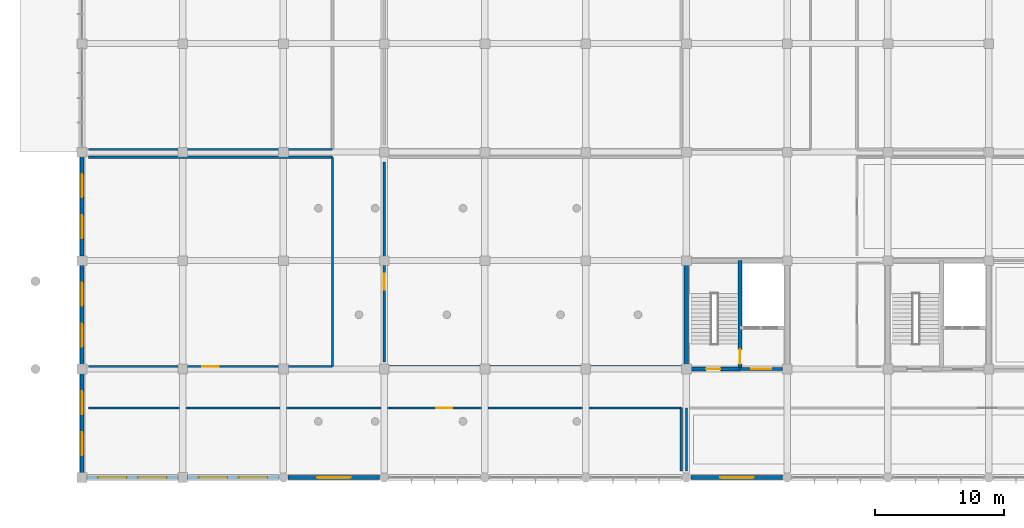
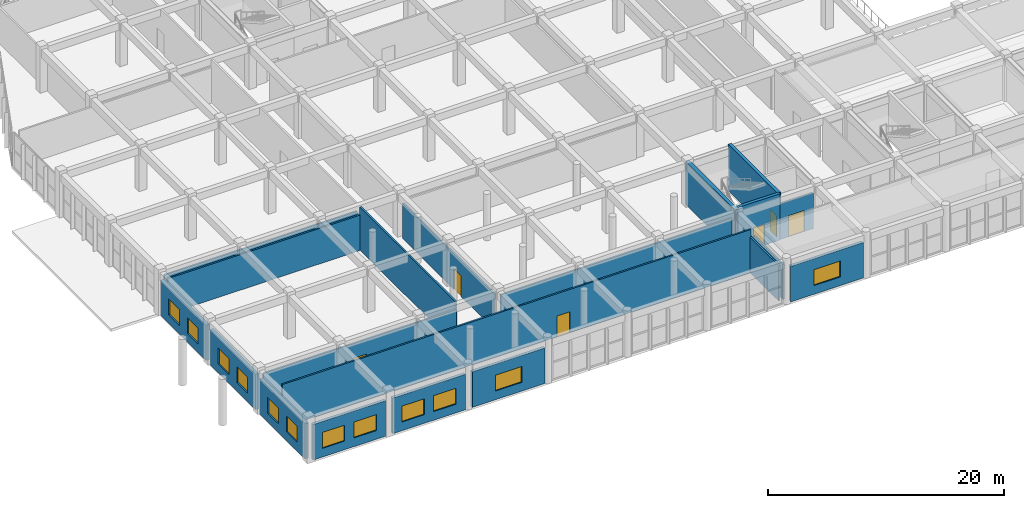
# One storey, part 158 of 175: 20 walls, 12 windows, 6 doors, 18 openings.
"""IFC4 building model written with IfcOpenShell, lengths in metres."""

import ifcopenshell
import ifcopenshell.guid

model = None  # the IFC model being written
_history = None  # IfcOwnerHistory: only IFC2X3 demands one
_inside = {}  # id of a spatial element -> (the spatial element, [elements in it])
_under = {}  # id of a project, library or spatial element -> (it, [spatial elements below it])
_declared = {}  # id of a project -> (the project, [libraries it declares])
_typed = {}  # id of a type object -> (the type object, [elements of that type])
_made_of = {}  # id of a material, layer set ... -> (it, [elements and type objects made of it])


def new_model(schema):
    """Start an empty IFC model of exactly this schema.

    Asked for "IFC4X3", IfcOpenShell would pick the latest addendum, in which some entities
    have other attributes; the version numbers below select the first issue.
    IFC2X3 requires an IfcOwnerHistory on every rooted entity: one is made here for all.
    """
    global model, _history
    if schema == "IFC4X3":
        model = ifcopenshell.file(schema_version=(4, 3, 0, 0))
    else:
        model = ifcopenshell.file(schema=schema)
    _inside.clear()
    _under.clear()
    _declared.clear()
    _typed.clear()
    _made_of.clear()
    _history = None
    if model.schema == "IFC2X3":
        org = make("IfcOrganization", Name="unknown")
        user = make(
            "IfcPersonAndOrganization",
            ThePerson=make("IfcPerson", FamilyName="unknown"),
            TheOrganization=org,
        )
        app = make(
            "IfcApplication",
            ApplicationDeveloper=org,
            Version="unknown",
            ApplicationFullName="unknown",
            ApplicationIdentifier="unknown",
        )
        _history = make(
            "IfcOwnerHistory",
            OwningUser=user,
            OwningApplication=app,
            ChangeAction="ADDED",
            CreationDate=0,
        )
    return model


def make(cls, **values):
    """One entity of the class cls with the attributes given. An attribute that is None is left unset."""
    return model.create_entity(
        cls, **{name: value for name, value in values.items() if value is not None}
    )


def rooted(cls, **values):
    """An entity with a GlobalId (a new one), such as an element, a storey or a relation."""
    return make(cls, GlobalId=ifcopenshell.guid.new(), OwnerHistory=_history, **values)


def si_unit(unit_type, name, prefix=None):
    """IfcSIUnit, for example si_unit("LENGTHUNIT", "METRE", prefix="MILLI")."""
    return make("IfcSIUnit", UnitType=unit_type, Prefix=prefix, Name=name)


def assignment(units):
    """IfcUnitAssignment: the units of a project."""
    return None if units is None else make("IfcUnitAssignment", Units=units)


def point(xyz):
    """IfcCartesianPoint."""
    return None if xyz is None else make("IfcCartesianPoint", Coordinates=xyz)


def direction(xyz):
    """IfcDirection."""
    return None if xyz is None else make("IfcDirection", DirectionRatios=xyz)


def frame(location, z_axis=None, x_axis=None):
    """IfcAxis2Placement3D, a coordinate frame: its origin and axes. An axis left out is left unset."""
    return make(
        "IfcAxis2Placement3D",
        Location=point(location),
        Axis=direction(z_axis),
        RefDirection=direction(x_axis),
    )


def frame_2d(location, x_axis=None):
    """IfcAxis2Placement2D, a coordinate frame in the plane: its origin and x axis."""
    return make(
        "IfcAxis2Placement2D", Location=point(location), RefDirection=direction(x_axis)
    )


def origin():
    """The frame at (0, 0, 0) with its axes left unset."""
    return frame((0.0, 0.0, 0.0))


def place(relative_to, where):
    """IfcLocalPlacement: puts the frame where relative to a parent placement (None: the world)."""
    return make(
        "IfcLocalPlacement", PlacementRelTo=relative_to, RelativePlacement=where
    )


def context(
    kind, dimensions, precision=None, world=None, true_north=None, identifier=None
):
    """IfcGeometricRepresentationContext, for example the 3D "Model" context."""
    return make(
        "IfcGeometricRepresentationContext",
        ContextIdentifier=identifier,
        ContextType=kind,
        CoordinateSpaceDimension=dimensions,
        Precision=precision,
        WorldCoordinateSystem=world,
        TrueNorth=true_north,
    )


def subcontext(parent, identifier, kind, view, scale=None):
    """IfcGeometricRepresentationSubContext, for example "Body" below "Model"."""
    return make(
        "IfcGeometricRepresentationSubContext",
        ContextIdentifier=identifier,
        ContextType=kind,
        ParentContext=parent,
        TargetScale=scale,
        TargetView=view,
    )


def project(units=None, contexts=None):
    """IfcProject with its units and contexts."""
    return rooted(
        "IfcProject",
        Name="project",
        RepresentationContexts=contexts,
        UnitsInContext=assignment(units),
    )


def spatial(cls, under=None, at=None, **own):
    """A site, building, storey or space (cls), placed at a placement, below another one or the project."""
    s = rooted(cls, ObjectPlacement=at, **own)
    if under is not None:
        _under.setdefault(under.id(), (under, []))[1].append(s)
    return s


def profile(cls, at=None, kind="AREA", **sizes):
    """A parametric profile (cls). Its sizes go by their IFC names, for example OverallWidth=200.0."""
    return make(cls, ProfileType=kind, Position=at, **sizes)


def rectangle(**sizes):
    """IfcRectangleProfileDef."""
    return profile("IfcRectangleProfileDef", **sizes)


def extrude(swept, where, along, depth):
    """IfcExtrudedAreaSolid: the profile swept, set in the frame where, extruded along a direction by depth."""
    return make(
        "IfcExtrudedAreaSolid",
        SweptArea=swept,
        Position=where,
        ExtrudedDirection=direction(along),
        Depth=depth,
    )


def shape(context_of_items, identifier, shape_type, items):
    """IfcShapeRepresentation: the items that make up one representation, for example the "Body"."""
    return make(
        "IfcShapeRepresentation",
        ContextOfItems=context_of_items,
        RepresentationIdentifier=identifier,
        RepresentationType=shape_type,
        Items=items,
    )


def material(Name=None, Category=None):
    """IfcMaterial."""
    return make("IfcMaterial", Name=Name, Category=Category)


def layer(
    of_material, thickness, ventilated=None, Name=None, Category=None, Priority=None
):
    """IfcMaterialLayer: one layer of a wall or slab, of a material (None: an air gap)."""
    return make(
        "IfcMaterialLayer",
        Material=of_material,
        LayerThickness=thickness,
        IsVentilated=ventilated,
        Name=Name,
        Category=Category,
        Priority=Priority,
    )


def layer_set(layers, Name=None):
    """IfcMaterialLayerSet."""
    return make("IfcMaterialLayerSet", MaterialLayers=layers, LayerSetName=Name)


def made_of(thing, what):
    """Note that an element or type object is made of a material, layer set ...; save() writes the relation."""
    if what is not None:
        _made_of.setdefault(what.id(), (what, []))[1].append(thing)
    return thing


def type_object(cls, material=None, **own):
    """A type object (cls), such as IfcWallType, which elements share."""
    return made_of(rooted(cls, **own), material)


def element(
    cls,
    number,
    at=None,
    inside=None,
    cuts=None,
    type_object=None,
    material=None,
    context=None,
    identifier="Body",
    shape_type=None,
    held_by="IfcProductDefinitionShape",
    body=None,
    shapes=None,
    **own,
):
    """One element of the class cls, such as IfcWall. Its Tag is "e" and its number.

    at: its placement. inside: the storey or other place that contains it. cuts: it is an
    opening in that element (IfcRelVoidsElement). A single representation is given by context,
    identifier, shape_type and body (its items); several are given by shapes. held_by: the class
    of the entity that holds the representations. save() writes the other relations.
    """
    e = rooted(cls, Tag="e%d" % number, ObjectPlacement=at, **own)
    if body is not None:
        shapes = [shape(context, identifier, shape_type, body)]
    if shapes is not None:
        e.Representation = make(held_by, Representations=shapes)
    if inside is not None:
        _inside.setdefault(inside.id(), (inside, []))[1].append(e)
    if cuts is not None:
        rooted(
            "IfcRelVoidsElement", RelatingBuildingElement=cuts, RelatedOpeningElement=e
        )
    if type_object is not None:
        _typed.setdefault(type_object.id(), (type_object, []))[1].append(e)
    return made_of(e, material)


def fill(opening, filler):
    """IfcRelFillsElement: the door or window that sits in an opening."""
    return rooted(
        "IfcRelFillsElement",
        RelatingOpeningElement=opening,
        RelatedBuildingElement=filler,
    )


def aggregate(whole, parts):
    """IfcRelAggregates: a whole, such as a stair, and the parts it consists of."""
    return rooted("IfcRelAggregates", RelatingObject=whole, RelatedObjects=parts)


def save(model, path):
    """Write the relations noted so far, then the file.

    IfcRelAggregates (storeys below a building ...), IfcRelContainedInSpatialStructure (elements
    in a storey), IfcRelDefinesByType, IfcRelAssociatesMaterial and IfcRelDeclares: one each for
    every whole, place, type object, material and project.
    """
    for whole, parts in _under.values():
        aggregate(whole, parts)
    for where, things in _inside.values():
        rooted(
            "IfcRelContainedInSpatialStructure",
            RelatedElements=things,
            RelatingStructure=where,
        )
    for kind, things in _typed.values():
        rooted("IfcRelDefinesByType", RelatedObjects=things, RelatingType=kind)
    for what, things in _made_of.values():
        rooted("IfcRelAssociatesMaterial", RelatedObjects=things, RelatingMaterial=what)
    for by, libraries in _declared.values():
        rooted("IfcRelDeclares", RelatingContext=by, RelatedDefinitions=libraries)
    model.write(path)


model = new_model("IFC4")

# Units and contexts
model_context = context("Model", 3, precision=1e-05, world=origin(), true_north=direction((0.0, 1.0)))
body_context = subcontext(model_context, "Body", "Model", "MODEL_VIEW")
ifc_project = project(units=[si_unit("LENGTHUNIT", "METRE"), si_unit("AREAUNIT", "SQUARE_METRE"), si_unit("VOLUMEUNIT", "CUBIC_METRE"), si_unit("PLANEANGLEUNIT", "RADIAN"), si_unit("MASSUNIT", "GRAM", prefix="KILO")], contexts=[model_context])

# Site, building, storey
site_placement = place(None, origin())
site = spatial("IfcSite", under=ifc_project, at=site_placement, CompositionType="ELEMENT")
building_placement = place(site_placement, origin())
building = spatial("IfcBuilding", under=site, at=building_placement, Name="Zizhar Promenade General Hospital", CompositionType="ELEMENT")
storey_placement = place(building_placement, frame((0.0, 0.0, 4.800048828125)))
storey = spatial("IfcBuildingStorey", under=building, at=storey_placement, Name="L01", CompositionType="ELEMENT", Elevation=4.800048828125)

# Wall, openings, windows
ifc_material_1 = material(Name="Precast concrete C40/50", Category="concrete")
ifc_layer_1 = layer(ifc_material_1, 0.2900390625)
ifc_layer_set_1 = layer_set([ifc_layer_1], Name="Precast concrete C40/50")
wall_type_1 = type_object("IfcWallType", Name="EW-PC-290", PredefinedType="STANDARD", material=ifc_layer_set_1)
wall_1_placement = place(storey_placement, frame((7.4599609375, 0.0, 0.0), z_axis=(0.0, 0.0, 1.0), x_axis=(-1.0, 0.0, 0.0)))
wall_1 = element("IfcWall", 1, at=wall_1_placement, inside=storey, type_object=wall_type_1, Name="South-West Arm South Wall L01-1", PredefinedType="STANDARD", context=body_context, shape_type="SweptSolid", body=[
    extrude(rectangle(XDim=7.119873046875, YDim=0.2900390625, at=frame_2d((3.56005859375, 0.0))), origin(), (0.0, 0.0, 1.0), 3.679931640625),
])
opening_1_placement = place(wall_1_placement, frame((0.90673828125, 0.0, 0.89990234375)))
opening_1 = element("IfcOpeningElement", 2, at=opening_1_placement, cuts=wall_1, Name="Opening W-07", PredefinedType="OPENING", context=body_context, shape_type="SweptSolid", body=[
    extrude(rectangle(XDim=2.199951171875, YDim=1.64990234375, at=frame_2d((1.10009765625, 0.824951171875))), frame((0.0, 0.155029296875, 0.0), z_axis=(0.0, -1.0, 0.0), x_axis=(1.0, 0.0, 0.0)), (0.0, 0.0, 1.0), 0.31005859375),
])
opening_2_placement = place(wall_1_placement, frame((4.01318359375, 0.0, 0.89990234375)))
opening_2 = element("IfcOpeningElement", 3, at=opening_2_placement, cuts=wall_1, Name="Opening W-07", PredefinedType="OPENING", context=body_context, shape_type="SweptSolid", body=[
    extrude(rectangle(XDim=2.199951171875, YDim=1.64990234375, at=frame_2d((1.10009765625, 0.824951171875))), frame((0.0, 0.155029296875, 0.0), z_axis=(0.0, -1.0, 0.0), x_axis=(1.0, 0.0, 0.0)), (0.0, 0.0, 1.0), 0.31005859375),
])
ifc_material_2 = material(Name="Anodised aluminium 6063-T6 and low-E glass", Category="aluminium")
window_type_1 = type_object("IfcWindowType", Name="WIN-CLN-220x165", PartitioningType="DOUBLE_PANEL_VERTICAL", PredefinedType="WINDOW", material=ifc_material_2)
window_1_placement = place(opening_1_placement, origin())
window_1 = element("IfcWindow", 4, at=window_1_placement, inside=storey, type_object=window_type_1, Name="South-West Arm South Wall L01-1 Window 1", OverallHeight=1.64990234375, OverallWidth=2.199951171875, PartitioningType="SINGLE_PANEL", PredefinedType="WINDOW", context=body_context, shape_type="SweptSolid", body=[
    extrude(rectangle(XDim=2.199951171875, YDim=1.64990234375, at=frame_2d((1.10009765625, 0.824951171875))), frame((0.0, 0.030029296875, 0.0), z_axis=(0.0, -1.0, 0.0), x_axis=(1.0, 0.0, 0.0)), (0.0, 0.0, 1.0), 0.06005859375),
])
fill(opening_1, window_1)
window_2_placement = place(opening_2_placement, origin())
window_2 = element("IfcWindow", 5, at=window_2_placement, inside=storey, type_object=window_type_1, Name="South-West Arm South Wall L01-1 Window 2", OverallHeight=1.64990234375, OverallWidth=2.199951171875, PartitioningType="SINGLE_PANEL", PredefinedType="WINDOW", context=body_context, shape_type="SweptSolid", body=[
    extrude(rectangle(XDim=2.199951171875, YDim=1.64990234375, at=frame_2d((1.10009765625, 0.824951171875))), frame((0.0, 0.030029296875, 0.0), z_axis=(0.0, -1.0, 0.0), x_axis=(1.0, 0.0, 0.0)), (0.0, 0.0, 1.0), 0.06005859375),
])
fill(opening_2, window_2)

wall_2_placement = place(storey_placement, frame((15.260009765625, 0.0, 0.0), z_axis=(0.0, 0.0, 1.0), x_axis=(-1.0, 0.0, 0.0)))
wall_2 = element("IfcWall", 6, at=wall_2_placement, inside=storey, type_object=wall_type_1, Name="South-West Arm South Wall L01-2", PredefinedType="STANDARD", context=body_context, shape_type="SweptSolid", body=[
    extrude(rectangle(XDim=7.1201171875, YDim=0.2900390625, at=frame_2d((3.56005859375, 0.0))), origin(), (0.0, 0.0, 1.0), 3.679931640625),
])
opening_3_placement = place(wall_2_placement, frame((0.90673828125, 0.0, 0.89990234375)))
opening_3 = element("IfcOpeningElement", 7, at=opening_3_placement, cuts=wall_2, Name="Opening W-07", PredefinedType="OPENING", context=body_context, shape_type="SweptSolid", body=[
    extrude(rectangle(XDim=2.199951171875, YDim=1.64990234375, at=frame_2d((1.10009765625, 0.824951171875))), frame((0.0, 0.155029296875, 0.0), z_axis=(0.0, -1.0, 0.0), x_axis=(1.0, 0.0, 0.0)), (0.0, 0.0, 1.0), 0.31005859375),
])
opening_4_placement = place(wall_2_placement, frame((4.01318359375, 0.0, 0.89990234375)))
opening_4 = element("IfcOpeningElement", 8, at=opening_4_placement, cuts=wall_2, Name="Opening W-07", PredefinedType="OPENING", context=body_context, shape_type="SweptSolid", body=[
    extrude(rectangle(XDim=2.199951171875, YDim=1.64990234375, at=frame_2d((1.10009765625, 0.824951171875))), frame((0.0, 0.155029296875, 0.0), z_axis=(0.0, -1.0, 0.0), x_axis=(1.0, 0.0, 0.0)), (0.0, 0.0, 1.0), 0.31005859375),
])
window_3_placement = place(opening_3_placement, origin())
window_3 = element("IfcWindow", 9, at=window_3_placement, inside=storey, type_object=window_type_1, Name="South-West Arm South Wall L01-2 Window 1", OverallHeight=1.64990234375, OverallWidth=2.199951171875, PartitioningType="SINGLE_PANEL", PredefinedType="WINDOW", context=body_context, shape_type="SweptSolid", body=[
    extrude(rectangle(XDim=2.199951171875, YDim=1.64990234375, at=frame_2d((1.10009765625, 0.824951171875))), frame((0.0, 0.030029296875, 0.0), z_axis=(0.0, -1.0, 0.0), x_axis=(1.0, 0.0, 0.0)), (0.0, 0.0, 1.0), 0.06005859375),
])
fill(opening_3, window_3)
window_4_placement = place(opening_4_placement, origin())
window_4 = element("IfcWindow", 10, at=window_4_placement, inside=storey, type_object=window_type_1, Name="South-West Arm South Wall L01-2 Window 2", OverallHeight=1.64990234375, OverallWidth=2.199951171875, PartitioningType="SINGLE_PANEL", PredefinedType="WINDOW", context=body_context, shape_type="SweptSolid", body=[
    extrude(rectangle(XDim=2.199951171875, YDim=1.64990234375, at=frame_2d((1.10009765625, 0.824951171875))), frame((0.0, 0.030029296875, 0.0), z_axis=(0.0, -1.0, 0.0), x_axis=(1.0, 0.0, 0.0)), (0.0, 0.0, 1.0), 0.06005859375),
])
fill(opening_4, window_4)

# Wall, opening, window
wall_3_placement = place(storey_placement, frame((23.06005859375, 0.0, 0.0), z_axis=(0.0, 0.0, 1.0), x_axis=(-1.0, 0.0, 0.0)))
wall_3 = element("IfcWall", 11, at=wall_3_placement, inside=storey, type_object=wall_type_1, Name="Riverfront Facade Wall L01-1", PredefinedType="STANDARD", context=body_context, shape_type="SweptSolid", body=[
    extrude(rectangle(XDim=7.1201171875, YDim=0.2900390625, at=frame_2d((3.56005859375, 0.0))), origin(), (0.0, 0.0, 1.0), 3.679931640625),
])
opening_5_placement = place(wall_3_placement, frame((2.260009765625, 0.0, 0.89990234375)))
opening_5 = element("IfcOpeningElement", 12, at=opening_5_placement, cuts=wall_3, Name="Opening W-06", PredefinedType="OPENING", context=body_context, shape_type="SweptSolid", body=[
    extrude(rectangle(XDim=2.60009765625, YDim=1.64990234375, at=frame_2d((1.300048828125, 0.824951171875))), frame((0.0, 0.155029296875, 0.0), z_axis=(0.0, -1.0, 0.0), x_axis=(1.0, 0.0, 0.0)), (0.0, 0.0, 1.0), 0.31005859375),
])
ifc_material_3 = material(Name="Anodised aluminium 6063-T6 and low-E glass", Category="aluminium")
window_type_2 = type_object("IfcWindowType", Name="WIN-CLN-260x165", PartitioningType="TRIPLE_PANEL_VERTICAL", PredefinedType="WINDOW", material=ifc_material_3)
window_5_placement = place(opening_5_placement, origin())
window_5 = element("IfcWindow", 13, at=window_5_placement, inside=storey, type_object=window_type_2, Name="Riverfront Facade Wall L01-1 Window 1", OverallHeight=1.64990234375, OverallWidth=2.60009765625, PartitioningType="SINGLE_PANEL", PredefinedType="WINDOW", context=body_context, shape_type="SweptSolid", body=[
    extrude(rectangle(XDim=2.60009765625, YDim=1.64990234375, at=frame_2d((1.300048828125, 0.824951171875))), frame((0.0, 0.030029296875, 0.0), z_axis=(0.0, -1.0, 0.0), x_axis=(1.0, 0.0, 0.0)), (0.0, 0.0, 1.0), 0.06005859375),
])
fill(opening_5, window_5)

wall_4_placement = place(storey_placement, frame((54.260009765625, 0.0, 0.0), z_axis=(0.0, 0.0, 1.0), x_axis=(-1.0, 0.0, 0.0)))
wall_4 = element("IfcWall", 14, at=wall_4_placement, inside=storey, type_object=wall_type_1, Name="Riverfront Facade Wall L01-5", PredefinedType="STANDARD", context=body_context, shape_type="SweptSolid", body=[
    extrude(rectangle(XDim=7.1201171875, YDim=0.2900390625, at=frame_2d((3.56005859375, 0.0))), origin(), (0.0, 0.0, 1.0), 3.679931640625),
])
opening_6_placement = place(wall_4_placement, frame((2.260009765625, 0.0, 0.89990234375)))
opening_6 = element("IfcOpeningElement", 15, at=opening_6_placement, cuts=wall_4, Name="Opening W-06", PredefinedType="OPENING", context=body_context, shape_type="SweptSolid", body=[
    extrude(rectangle(XDim=2.60009765625, YDim=1.64990234375, at=frame_2d((1.300048828125, 0.824951171875))), frame((0.0, 0.155029296875, 0.0), z_axis=(0.0, -1.0, 0.0), x_axis=(1.0, 0.0, 0.0)), (0.0, 0.0, 1.0), 0.31005859375),
])
window_6_placement = place(opening_6_placement, origin())
window_6 = element("IfcWindow", 16, at=window_6_placement, inside=storey, type_object=window_type_2, Name="Riverfront Facade Wall L01-5 Window 1", OverallHeight=1.64990234375, OverallWidth=2.60009765625, PartitioningType="SINGLE_PANEL", PredefinedType="WINDOW", context=body_context, shape_type="SweptSolid", body=[
    extrude(rectangle(XDim=2.60009765625, YDim=1.64990234375, at=frame_2d((1.300048828125, 0.824951171875))), frame((0.0, 0.030029296875, 0.0), z_axis=(0.0, -1.0, 0.0), x_axis=(1.0, 0.0, 0.0)), (0.0, 0.0, 1.0), 0.06005859375),
])
fill(opening_6, window_6)

# Wall, openings, windows
ifc_material_4 = material(Name="Precast concrete C40/50", Category="concrete")
ifc_layer_2 = layer(ifc_material_4, 0.320068359375)
ifc_layer_set_2 = layer_set([ifc_layer_2], Name="Precast concrete C40/50")
wall_type_2 = type_object("IfcWallType", Name="EW-PC-320", PredefinedType="STANDARD", material=ifc_layer_set_2)
wall_5_placement = place(storey_placement, frame((0.0, 0.340087890625, 0.0), z_axis=(0.0, 0.0, 1.0), x_axis=(0.0, 1.0, 0.0)))
wall_5 = element("IfcWall", 17, at=wall_5_placement, inside=storey, type_object=wall_type_2, Name="South-West Arm West Wall L01-1", PredefinedType="STANDARD", context=body_context, shape_type="SweptSolid", body=[
    extrude(rectangle(XDim=7.719970703125, YDim=0.320068359375, at=frame_2d((3.85986328125, 0.0))), origin(), (0.0, 0.0, 1.0), 3.6650390625),
])
opening_7_placement = place(wall_5_placement, frame((1.373291015625, 0.0, 0.89990234375)))
opening_7 = element("IfcOpeningElement", 18, at=opening_7_placement, cuts=wall_5, Name="Opening W-08", PredefinedType="OPENING", context=body_context, shape_type="SweptSolid", body=[
    extrude(rectangle(XDim=1.800048828125, YDim=1.64990234375, at=frame_2d((0.89990234375, 0.824951171875))), frame((0.0, 0.169921875, 0.0), z_axis=(0.0, -1.0, 0.0), x_axis=(1.0, 0.0, 0.0)), (0.0, 0.0, 1.0), 0.340087890625),
])
opening_8_placement = place(wall_5_placement, frame((4.546630859375, 0.0, 0.89990234375)))
opening_8 = element("IfcOpeningElement", 19, at=opening_8_placement, cuts=wall_5, Name="Opening W-08", PredefinedType="OPENING", context=body_context, shape_type="SweptSolid", body=[
    extrude(rectangle(XDim=1.800048828125, YDim=1.64990234375, at=frame_2d((0.89990234375, 0.824951171875))), frame((0.0, 0.169921875, 0.0), z_axis=(0.0, -1.0, 0.0), x_axis=(1.0, 0.0, 0.0)), (0.0, 0.0, 1.0), 0.340087890625),
])
ifc_material_5 = material(Name="Anodised aluminium 6063-T6 and low-E glass", Category="aluminium")
window_type_3 = type_object("IfcWindowType", Name="WIN-CLN-180x165", PartitioningType="DOUBLE_PANEL_VERTICAL", PredefinedType="WINDOW", material=ifc_material_5)
window_7_placement = place(opening_7_placement, origin())
window_7 = element("IfcWindow", 20, at=window_7_placement, inside=storey, type_object=window_type_3, Name="South-West Arm West Wall L01-1 Window 1", OverallHeight=1.64990234375, OverallWidth=1.800048828125, PartitioningType="SINGLE_PANEL", PredefinedType="WINDOW", context=body_context, shape_type="SweptSolid", body=[
    extrude(rectangle(XDim=1.800048828125, YDim=1.64990234375, at=frame_2d((0.89990234375, 0.824951171875))), frame((0.0, 0.030029296875, 0.0), z_axis=(0.0, -1.0, 0.0), x_axis=(1.0, 0.0, 0.0)), (0.0, 0.0, 1.0), 0.06005859375),
])
fill(opening_7, window_7)
window_8_placement = place(opening_8_placement, origin())
window_8 = element("IfcWindow", 21, at=window_8_placement, inside=storey, type_object=window_type_3, Name="South-West Arm West Wall L01-1 Window 2", OverallHeight=1.64990234375, OverallWidth=1.800048828125, PartitioningType="SINGLE_PANEL", PredefinedType="WINDOW", context=body_context, shape_type="SweptSolid", body=[
    extrude(rectangle(XDim=1.800048828125, YDim=1.64990234375, at=frame_2d((0.89990234375, 0.824951171875))), frame((0.0, 0.030029296875, 0.0), z_axis=(0.0, -1.0, 0.0), x_axis=(1.0, 0.0, 0.0)), (0.0, 0.0, 1.0), 0.06005859375),
])
fill(opening_8, window_8)

wall_6_placement = place(storey_placement, frame((0.0, 8.739990234375, 0.0), z_axis=(0.0, 0.0, 1.0), x_axis=(0.0, 1.0, 0.0)))
wall_6 = element("IfcWall", 22, at=wall_6_placement, inside=storey, type_object=wall_type_2, Name="South-West Arm West Wall L01-2", PredefinedType="STANDARD", context=body_context, shape_type="SweptSolid", body=[
    extrude(rectangle(XDim=7.719970703125, YDim=0.320068359375, at=frame_2d((3.85986328125, 0.0))), origin(), (0.0, 0.0, 1.0), 3.6650390625),
])
opening_9_placement = place(wall_6_placement, frame((1.373291015625, 0.0, 0.89990234375)))
opening_9 = element("IfcOpeningElement", 23, at=opening_9_placement, cuts=wall_6, Name="Opening W-08", PredefinedType="OPENING", context=body_context, shape_type="SweptSolid", body=[
    extrude(rectangle(XDim=1.800048828125, YDim=1.64990234375, at=frame_2d((0.89990234375, 0.824951171875))), frame((0.0, 0.169921875, 0.0), z_axis=(0.0, -1.0, 0.0), x_axis=(1.0, 0.0, 0.0)), (0.0, 0.0, 1.0), 0.340087890625),
])
opening_10_placement = place(wall_6_placement, frame((4.546630859375, 0.0, 0.89990234375)))
opening_10 = element("IfcOpeningElement", 24, at=opening_10_placement, cuts=wall_6, Name="Opening W-08", PredefinedType="OPENING", context=body_context, shape_type="SweptSolid", body=[
    extrude(rectangle(XDim=1.800048828125, YDim=1.64990234375, at=frame_2d((0.89990234375, 0.824951171875))), frame((0.0, 0.169921875, 0.0), z_axis=(0.0, -1.0, 0.0), x_axis=(1.0, 0.0, 0.0)), (0.0, 0.0, 1.0), 0.340087890625),
])
window_9_placement = place(opening_9_placement, origin())
window_9 = element("IfcWindow", 25, at=window_9_placement, inside=storey, type_object=window_type_3, Name="South-West Arm West Wall L01-2 Window 1", OverallHeight=1.64990234375, OverallWidth=1.800048828125, PartitioningType="SINGLE_PANEL", PredefinedType="WINDOW", context=body_context, shape_type="SweptSolid", body=[
    extrude(rectangle(XDim=1.800048828125, YDim=1.64990234375, at=frame_2d((0.89990234375, 0.824951171875))), frame((0.0, 0.030029296875, 0.0), z_axis=(0.0, -1.0, 0.0), x_axis=(1.0, 0.0, 0.0)), (0.0, 0.0, 1.0), 0.06005859375),
])
fill(opening_9, window_9)
window_10_placement = place(opening_10_placement, origin())
window_10 = element("IfcWindow", 26, at=window_10_placement, inside=storey, type_object=window_type_3, Name="South-West Arm West Wall L01-2 Window 2", OverallHeight=1.64990234375, OverallWidth=1.800048828125, PartitioningType="SINGLE_PANEL", PredefinedType="WINDOW", context=body_context, shape_type="SweptSolid", body=[
    extrude(rectangle(XDim=1.800048828125, YDim=1.64990234375, at=frame_2d((0.89990234375, 0.824951171875))), frame((0.0, 0.030029296875, 0.0), z_axis=(0.0, -1.0, 0.0), x_axis=(1.0, 0.0, 0.0)), (0.0, 0.0, 1.0), 0.06005859375),
])
fill(opening_10, window_10)

wall_7_placement = place(storey_placement, frame((0.0, 17.139892578125, 0.0), z_axis=(0.0, 0.0, 1.0), x_axis=(0.0, 1.0, 0.0)))
wall_7 = element("IfcWall", 27, at=wall_7_placement, inside=storey, type_object=wall_type_2, Name="South-West Arm West Wall L01-3", PredefinedType="STANDARD", context=body_context, shape_type="SweptSolid", body=[
    extrude(rectangle(XDim=7.72021484375, YDim=0.320068359375, at=frame_2d((3.860107421875, 0.0))), origin(), (0.0, 0.0, 1.0), 3.6650390625),
])
opening_11_placement = place(wall_7_placement, frame((1.373291015625, 0.0, 0.89990234375)))
opening_11 = element("IfcOpeningElement", 28, at=opening_11_placement, cuts=wall_7, Name="Opening W-08", PredefinedType="OPENING", context=body_context, shape_type="SweptSolid", body=[
    extrude(rectangle(XDim=1.800048828125, YDim=1.64990234375, at=frame_2d((0.89990234375, 0.824951171875))), frame((0.0, 0.169921875, 0.0), z_axis=(0.0, -1.0, 0.0), x_axis=(1.0, 0.0, 0.0)), (0.0, 0.0, 1.0), 0.340087890625),
])
opening_12_placement = place(wall_7_placement, frame((4.546630859375, 0.0, 0.89990234375)))
opening_12 = element("IfcOpeningElement", 29, at=opening_12_placement, cuts=wall_7, Name="Opening W-08", PredefinedType="OPENING", context=body_context, shape_type="SweptSolid", body=[
    extrude(rectangle(XDim=1.800048828125, YDim=1.64990234375, at=frame_2d((0.89990234375, 0.824951171875))), frame((0.0, 0.169921875, 0.0), z_axis=(0.0, -1.0, 0.0), x_axis=(1.0, 0.0, 0.0)), (0.0, 0.0, 1.0), 0.340087890625),
])
window_11_placement = place(opening_11_placement, origin())
window_11 = element("IfcWindow", 30, at=window_11_placement, inside=storey, type_object=window_type_3, Name="South-West Arm West Wall L01-3 Window 1", OverallHeight=1.64990234375, OverallWidth=1.800048828125, PartitioningType="SINGLE_PANEL", PredefinedType="WINDOW", context=body_context, shape_type="SweptSolid", body=[
    extrude(rectangle(XDim=1.800048828125, YDim=1.64990234375, at=frame_2d((0.89990234375, 0.824951171875))), frame((0.0, 0.030029296875, 0.0), z_axis=(0.0, -1.0, 0.0), x_axis=(1.0, 0.0, 0.0)), (0.0, 0.0, 1.0), 0.06005859375),
])
fill(opening_11, window_11)
window_12_placement = place(opening_12_placement, origin())
window_12 = element("IfcWindow", 31, at=window_12_placement, inside=storey, type_object=window_type_3, Name="South-West Arm West Wall L01-3 Window 2", OverallHeight=1.64990234375, OverallWidth=1.800048828125, PartitioningType="SINGLE_PANEL", PredefinedType="WINDOW", context=body_context, shape_type="SweptSolid", body=[
    extrude(rectangle(XDim=1.800048828125, YDim=1.64990234375, at=frame_2d((0.89990234375, 0.824951171875))), frame((0.0, 0.030029296875, 0.0), z_axis=(0.0, -1.0, 0.0), x_axis=(1.0, 0.0, 0.0)), (0.0, 0.0, 1.0), 0.06005859375),
])
fill(opening_12, window_12)

# Wall
ifc_material_6 = material(Name="Fire-rated corridor gypsum partition")
ifc_layer_3 = layer(ifc_material_6, 0.1650390625)
ifc_layer_set_3 = layer_set([ifc_layer_3], Name="Fire-rated corridor gypsum partition")
wall_type_3 = type_object("IfcWallType", Name="IW-CORR-165", PredefinedType="PARTITIONING", material=ifc_layer_set_3)
wall_8_placement = place(storey_placement, frame((0.5, 25.39990234375, 0.0), z_axis=(0.0, 0.0, 1.0), x_axis=(1.0, 0.0, 0.0)))
element("IfcWall", 32, at=wall_8_placement, inside=storey, type_object=wall_type_3, Name="Emergency Short-Stay Observation Ward A S Partition", PredefinedType="PARTITIONING", context=body_context, shape_type="SweptSolid", body=[
    extrude(rectangle(XDim=18.89990234375, YDim=0.1650390625, at=frame_2d((9.449951171875, 0.0))), origin(), (0.0, 0.0, 1.0), 3.679931640625),
])

# Wall, opening, door
wall_9_placement = place(storey_placement, frame((0.5, 5.39990234375, 0.0), z_axis=(0.0, 0.0, 1.0), x_axis=(1.0, 0.0, 0.0)))
wall_9 = element("IfcWall", 33, at=wall_9_placement, inside=storey, type_object=wall_type_3, Name="Emergency Observation Ward N Partition", PredefinedType="PARTITIONING", context=body_context, shape_type="SweptSolid", body=[
    extrude(rectangle(XDim=45.89990234375, YDim=0.1650390625, at=frame_2d((22.949951171875, 0.0))), origin(), (0.0, 0.0, 1.0), 4.4599609375),
])
opening_13_placement = place(wall_9_placement, frame((26.9150390625, 0.0, 0.0)))
opening_13 = element("IfcOpeningElement", 34, at=opening_13_placement, cuts=wall_9, Name="Opening D-13", PredefinedType="OPENING", context=body_context, shape_type="SweptSolid", body=[
    extrude(rectangle(XDim=1.25, YDim=2.14990234375, at=frame_2d((0.625, 1.074951171875))), frame((0.0, 0.092529296875, 0.0), z_axis=(0.0, -1.0, 0.0), x_axis=(1.0, 0.0, 0.0)), (0.0, 0.0, 1.0), 0.18505859375),
])
ifc_material_7 = material(Name="Fire-rated timber clinical leaf", Category="wood")
door_type_1 = type_object("IfcDoorType", Name="DR-ED-EXAM-125x215", OperationType="NOTDEFINED", PredefinedType="DOOR", material=ifc_material_7)
door_1_placement = place(opening_13_placement, origin())
door_1 = element("IfcDoor", 35, at=door_1_placement, inside=storey, type_object=door_type_1, Name="Emergency Observation Ward Door", OperationType="SINGLE_SWING_LEFT", OverallHeight=2.14990234375, OverallWidth=1.25, PredefinedType="DOOR", context=body_context, shape_type="SweptSolid", body=[
    extrude(rectangle(XDim=1.25, YDim=2.14990234375, at=frame_2d((0.625, 1.074951171875))), frame((0.0, 0.02490234375, 0.0), z_axis=(0.0, -1.0, 0.0), x_axis=(1.0, 0.0, 0.0)), (0.0, 0.0, 1.0), 0.050048828125),
])
fill(opening_13, door_1)

# Wall
wall_10_placement = place(storey_placement, frame((46.39990234375, 0.5, 0.0), z_axis=(0.0, 0.0, 1.0), x_axis=(0.0, 1.0, 0.0)))
element("IfcWall", 36, at=wall_10_placement, inside=storey, type_object=wall_type_3, Name="Emergency Observation Ward E Partition", PredefinedType="PARTITIONING", context=body_context, shape_type="SweptSolid", body=[
    extrude(rectangle(XDim=4.89990234375, YDim=0.1650390625, at=frame_2d((2.449951171875, 0.0))), origin(), (0.0, 0.0, 1.0), 3.679931640625),
])

# Wall, opening, door
wall_11_placement = place(storey_placement, frame((0.5, 8.60009765625, 0.0), z_axis=(0.0, 0.0, 1.0), x_axis=(1.0, 0.0, 0.0)))
wall_11 = element("IfcWall", 37, at=wall_11_placement, inside=storey, type_object=wall_type_3, Name="Emergency Rapid-Assessment Unit West S Partition", PredefinedType="PARTITIONING", context=body_context, shape_type="SweptSolid", body=[
    extrude(rectangle(XDim=18.89990234375, YDim=0.1650390625, at=frame_2d((9.449951171875, 0.0))), origin(), (0.0, 0.0, 1.0), 3.679931640625),
])
opening_14_placement = place(wall_11_placement, frame((8.824951171875, 0.0, 0.0)))
opening_14 = element("IfcOpeningElement", 38, at=opening_14_placement, cuts=wall_11, Name="Opening D-13", PredefinedType="OPENING", context=body_context, shape_type="SweptSolid", body=[
    extrude(rectangle(XDim=1.25, YDim=2.14990234375, at=frame_2d((0.625, 1.074951171875))), frame((0.0, 0.092529296875, 0.0), z_axis=(0.0, -1.0, 0.0), x_axis=(1.0, 0.0, 0.0)), (0.0, 0.0, 1.0), 0.18505859375),
])
door_2_placement = place(opening_14_placement, origin())
door_2 = element("IfcDoor", 39, at=door_2_placement, inside=storey, type_object=door_type_1, Name="Emergency Rapid-Assessment Unit West Door", OperationType="SINGLE_SWING_LEFT", OverallHeight=2.14990234375, OverallWidth=1.25, PredefinedType="DOOR", context=body_context, shape_type="SweptSolid", body=[
    extrude(rectangle(XDim=1.25, YDim=2.14990234375, at=frame_2d((0.625, 1.074951171875))), frame((0.0, 0.02490234375, 0.0), z_axis=(0.0, -1.0, 0.0), x_axis=(1.0, 0.0, 0.0)), (0.0, 0.0, 1.0), 0.050048828125),
])
fill(opening_14, door_2)

# Walls
wall_12_placement = place(storey_placement, frame((0.5, 24.800048828125, 0.0), z_axis=(0.0, 0.0, 1.0), x_axis=(1.0, 0.0, 0.0)))
element("IfcWall", 40, at=wall_12_placement, inside=storey, type_object=wall_type_3, Name="Emergency Rapid-Assessment Unit West N Partition", PredefinedType="PARTITIONING", context=body_context, shape_type="SweptSolid", body=[
    extrude(rectangle(XDim=18.89990234375, YDim=0.1650390625, at=frame_2d((9.449951171875, 0.0))), origin(), (0.0, 0.0, 1.0), 3.679931640625),
])
wall_13_placement = place(storey_placement, frame((19.39990234375, 8.60009765625, 0.0), z_axis=(0.0, 0.0, 1.0), x_axis=(0.0, 1.0, 0.0)))
element("IfcWall", 41, at=wall_13_placement, inside=storey, type_object=wall_type_3, Name="Emergency Rapid-Assessment Unit West E Partition", PredefinedType="PARTITIONING", context=body_context, shape_type="SweptSolid", body=[
    extrude(rectangle(XDim=16.199951171875, YDim=0.1650390625, at=frame_2d((8.10009765625, 0.0))), origin(), (0.0, 0.0, 1.0), 4.4599609375),
])
wall_14_placement = place(storey_placement, frame((23.760009765625, 8.60009765625, 0.0), z_axis=(0.0, 0.0, 1.0), x_axis=(1.0, 0.0, 0.0)))
element("IfcWall", 42, at=wall_14_placement, inside=storey, type_object=wall_type_3, Name="Emergency Rapid-Assessment Unit East S Partition", PredefinedType="PARTITIONING", context=body_context, shape_type="SweptSolid", body=[
    extrude(rectangle(XDim=22.639892578125, YDim=0.1650390625, at=frame_2d((11.31982421875, 0.0))), origin(), (0.0, 0.0, 1.0), 3.679931640625),
])

# Wall, opening, door
wall_15_placement = place(storey_placement, frame((23.39990234375, 8.9599609375, 0.0), z_axis=(0.0, 0.0, 1.0), x_axis=(0.0, 1.0, 0.0)))
wall_15 = element("IfcWall", 43, at=wall_15_placement, inside=storey, type_object=wall_type_3, Name="Emergency Rapid-Assessment Unit East W Partition", PredefinedType="PARTITIONING", context=body_context, shape_type="SweptSolid", body=[
    extrude(rectangle(XDim=15.47998046875, YDim=0.1650390625, at=frame_2d((7.739990234375, 0.0))), origin(), (0.0, 0.0, 1.0), 3.6650390625),
])
opening_15_placement = place(wall_15_placement, frame((5.56689453125, 0.0, 0.0)))
opening_15 = element("IfcOpeningElement", 44, at=opening_15_placement, cuts=wall_15, Name="Opening D-13", PredefinedType="OPENING", context=body_context, shape_type="SweptSolid", body=[
    extrude(rectangle(XDim=1.25, YDim=2.14990234375, at=frame_2d((0.625, 1.074951171875))), frame((0.0, 0.092529296875, 0.0), z_axis=(0.0, -1.0, 0.0), x_axis=(1.0, 0.0, 0.0)), (0.0, 0.0, 1.0), 0.18505859375),
])
door_3_placement = place(opening_15_placement, origin())
door_3 = element("IfcDoor", 45, at=door_3_placement, inside=storey, type_object=door_type_1, Name="Emergency Rapid-Assessment Unit East Door", OperationType="SINGLE_SWING_RIGHT", OverallHeight=2.14990234375, OverallWidth=1.25, PredefinedType="DOOR", context=body_context, shape_type="SweptSolid", body=[
    extrude(rectangle(XDim=1.25, YDim=2.14990234375, at=frame_2d((0.625, 1.074951171875))), frame((0.0, 0.02490234375, 0.0), z_axis=(0.0, -1.0, 0.0), x_axis=(1.0, 0.0, 0.0)), (0.0, 0.0, 1.0), 0.050048828125),
])
fill(opening_15, door_3)

ifc_material_8 = material(Name="Concrete C35/45", Category="concrete")
ifc_layer_4 = layer(ifc_material_8, 0.215087890625)
ifc_layer_set_4 = layer_set([ifc_layer_4], Name="Concrete C35/45")
wall_type_4 = type_object("IfcWallType", Name="IW-LOBBY-215", PredefinedType="STANDARD", material=ifc_layer_set_4)
wall_16_placement = place(storey_placement, frame((50.949951171875, 8.39990234375, 0.0), z_axis=(0.0, 0.0, 1.0), x_axis=(1.0, 0.0, 0.0)))
wall_16 = element("IfcWall", 46, at=wall_16_placement, inside=storey, type_object=wall_type_4, Name="Core C2 Lift Lobby South Fire Wall (L01)", PredefinedType="STANDARD", context=body_context, shape_type="SweptSolid", body=[
    extrude(rectangle(XDim=3.2900390625, YDim=0.215087890625, at=frame_2d((1.64501953125, 0.0))), origin(), (0.0, 0.0, 1.0), 3.679931640625),
])
opening_16_placement = place(wall_16_placement, frame((0.864990234375, 0.0, 0.0)))
opening_16 = element("IfcOpeningElement", 47, at=opening_16_placement, cuts=wall_16, Name="Opening D-22", PredefinedType="OPENING", context=body_context, shape_type="SweptSolid", body=[
    extrude(rectangle(XDim=1.56005859375, YDim=2.199951171875, at=frame_2d((0.780029296875, 1.10009765625))), frame((0.0, 0.11767578125, 0.0), z_axis=(0.0, -1.0, 0.0), x_axis=(1.0, 0.0, 0.0)), (0.0, 0.0, 1.0), 0.235107421875),
])
ifc_material_9 = material(Name="Steel S355 firefighting lobby pair", Category="steel")
door_type_2 = type_object("IfcDoorType", Name="DR-LOBBY-FF-156x220", OperationType="DOUBLE_DOOR_SINGLE_SWING", PredefinedType="DOOR", material=ifc_material_9)
door_4_placement = place(opening_16_placement, origin())
door_4 = element("IfcDoor", 48, at=door_4_placement, inside=storey, type_object=door_type_2, Name="Core C2 Firefighting Lift Lobby Door (L01)", OperationType="DOUBLE_DOOR_SINGLE_SWING", OverallHeight=2.199951171875, OverallWidth=1.56005859375, PredefinedType="DOOR", context=body_context, shape_type="SweptSolid", body=[
    extrude(rectangle(XDim=1.56005859375, YDim=2.199951171875, at=frame_2d((0.780029296875, 1.10009765625))), frame((0.0, 0.02490234375, 0.0), z_axis=(0.0, -1.0, 0.0), x_axis=(1.0, 0.0, 0.0)), (0.0, 0.0, 1.0), 0.050048828125),
])
fill(opening_16, door_4)

# Wall
ifc_material_10 = material(Name="Acoustic patient bedroom partition")
ifc_layer_5 = layer(ifc_material_10, 0.155029296875)
ifc_layer_set_5 = layer_set([ifc_layer_5], Name="Acoustic patient bedroom partition")
wall_type_5 = type_object("IfcWallType", Name="IW-WARD-155", PredefinedType="PARTITIONING", material=ifc_layer_set_5)
wall_17_placement = place(storey_placement, frame((46.800048828125, 0.5, 0.0), z_axis=(0.0, 0.0, 1.0), x_axis=(0.0, 1.0, 0.0)))
element("IfcWall", 49, at=wall_17_placement, inside=storey, type_object=wall_type_5, Name="Surgical High-Dependency Inpatient Ward W Partition", PredefinedType="PARTITIONING", context=body_context, shape_type="SweptSolid", body=[
    extrude(rectangle(XDim=4.89990234375, YDim=0.155029296875, at=frame_2d((2.449951171875, 0.0))), origin(), (0.0, 0.0, 1.0), 3.6650390625),
])

# Wall, opening, door
ifc_material_11 = material(Name="Concrete C40/50", Category="concrete")
ifc_layer_6 = layer(ifc_material_11, 0.300048828125)
ifc_layer_set_6 = layer_set([ifc_layer_6], Name="Concrete C40/50")
wall_type_6 = type_object("IfcWallType", Name="WL-CORE-300", PredefinedType="SHEAR", material=ifc_layer_set_6)
wall_18_placement = place(storey_placement, frame((46.800048828125, 8.39990234375, 0.0), z_axis=(0.0, 0.0, 1.0), x_axis=(1.0, 0.0, 0.0)))
wall_18 = element("IfcWall", 50, at=wall_18_placement, inside=storey, type_object=wall_type_6, Name="Core C2 Stair South Fire Wall (L01)", PredefinedType="SHEAR", context=body_context, shape_type="SweptSolid", body=[
    extrude(rectangle(XDim=4.14990234375, YDim=0.300048828125, at=frame_2d((2.074951171875, 0.0))), origin(), (0.0, 0.0, 1.0), 4.800048828125),
])
opening_17_placement = place(wall_18_placement, frame((1.514892578125, 0.0, 0.0)))
opening_17 = element("IfcOpeningElement", 51, at=opening_17_placement, cuts=wall_18, Name="Opening D-21", PredefinedType="OPENING", context=body_context, shape_type="SweptSolid", body=[
    extrude(rectangle(XDim=1.1201171875, YDim=2.14990234375, at=frame_2d((0.56005859375, 1.074951171875))), frame((0.0, 0.16015625, 0.0), z_axis=(0.0, -1.0, 0.0), x_axis=(1.0, 0.0, 0.0)), (0.0, 0.0, 1.0), 0.320068359375),
])
ifc_material_12 = material(Name="Steel S355 protected stair door", Category="steel")
door_type_3 = type_object("IfcDoorType", Name="DR-STAIR-112x215", OperationType="NOTDEFINED", PredefinedType="DOOR", material=ifc_material_12)
door_5_placement = place(opening_17_placement, origin())
door_5 = element("IfcDoor", 52, at=door_5_placement, inside=storey, type_object=door_type_3, Name="Exit Stair ST-02 Door (L01)", OperationType="SINGLE_SWING_LEFT", OverallHeight=2.14990234375, OverallWidth=1.1201171875, PredefinedType="DOOR", context=body_context, shape_type="SweptSolid", body=[
    extrude(rectangle(XDim=1.1201171875, YDim=2.14990234375, at=frame_2d((0.56005859375, 1.074951171875))), frame((0.0, 0.02490234375, 0.0), z_axis=(0.0, -1.0, 0.0), x_axis=(1.0, 0.0, 0.0)), (0.0, 0.0, 1.0), 0.050048828125),
])
fill(opening_17, door_5)

wall_19_placement = place(storey_placement, frame((50.949951171875, 8.39990234375, 0.0), z_axis=(0.0, 0.0, 1.0), x_axis=(0.0, 1.0, 0.0)))
wall_19 = element("IfcWall", 53, at=wall_19_placement, inside=storey, type_object=wall_type_6, Name="Core C2 Stair-Shaft Separation Wall (L01)", PredefinedType="SHEAR", context=body_context, shape_type="SweptSolid", body=[
    extrude(rectangle(XDim=8.400146484375, YDim=0.300048828125, at=frame_2d((4.2001953125, 0.0))), origin(), (0.0, 0.0, 1.0), 4.800048828125),
])
opening_18_placement = place(wall_19_placement, frame((0.39990234375, 0.0, 0.0)))
opening_18 = element("IfcOpeningElement", 54, at=opening_18_placement, cuts=wall_19, Name="Opening D-21", PredefinedType="OPENING", context=body_context, shape_type="SweptSolid", body=[
    extrude(rectangle(XDim=1.1201171875, YDim=2.14990234375, at=frame_2d((0.56005859375, 1.074951171875))), frame((0.0, 0.16015625, 0.0), z_axis=(0.0, -1.0, 0.0), x_axis=(1.0, 0.0, 0.0)), (0.0, 0.0, 1.0), 0.320068359375),
])
door_6_placement = place(opening_18_placement, origin())
door_6 = element("IfcDoor", 55, at=door_6_placement, inside=storey, type_object=door_type_3, Name="Firefighting Lobby to Stair ST-02 Door (L01)", OperationType="SINGLE_SWING_RIGHT", OverallHeight=2.14990234375, OverallWidth=1.1201171875, PredefinedType="DOOR", context=body_context, shape_type="SweptSolid", body=[
    extrude(rectangle(XDim=1.1201171875, YDim=2.14990234375, at=frame_2d((0.56005859375, 1.074951171875))), frame((0.0, 0.02490234375, 0.0), z_axis=(0.0, -1.0, 0.0), x_axis=(1.0, 0.0, 0.0)), (0.0, 0.0, 1.0), 0.050048828125),
])
fill(opening_18, door_6)

# Wall
ifc_material_13 = material(Name="Concrete C40/50", Category="concrete")
ifc_layer_7 = layer(ifc_material_13, 0.35009765625)
ifc_layer_set_7 = layer_set([ifc_layer_7], Name="Concrete C40/50")
wall_type_7 = type_object("IfcWallType", Name="WL-CORE-350", PredefinedType="SHEAR", material=ifc_layer_set_7)
wall_20_placement = place(storey_placement, frame((46.800048828125, 8.39990234375, 0.0), z_axis=(0.0, 0.0, 1.0), x_axis=(0.0, 1.0, 0.0)))
element("IfcWall", 56, at=wall_20_placement, inside=storey, type_object=wall_type_7, Name="Core C2 West Shear Wall L01", PredefinedType="SHEAR", context=body_context, shape_type="SweptSolid", body=[
    extrude(rectangle(XDim=8.400146484375, YDim=0.35009765625, at=frame_2d((4.2001953125, 0.0))), origin(), (0.0, 0.0, 1.0), 4.47998046875),
])

save(model, "model.ifc")
